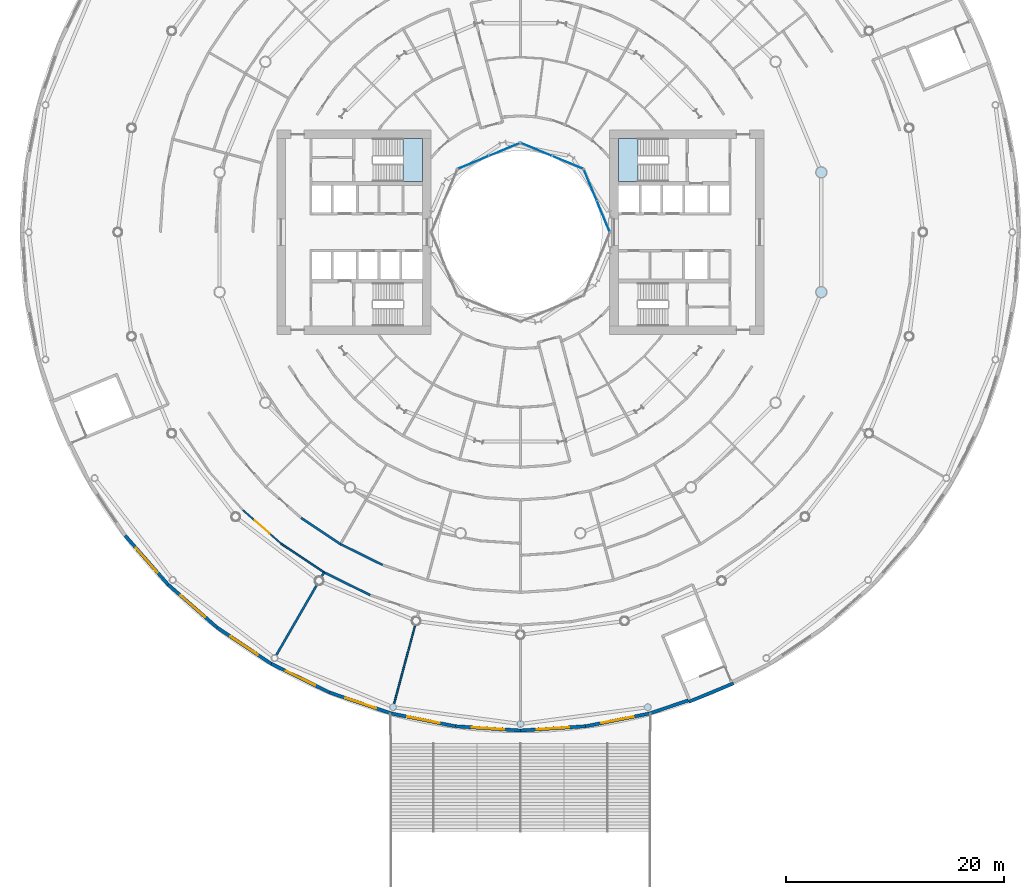
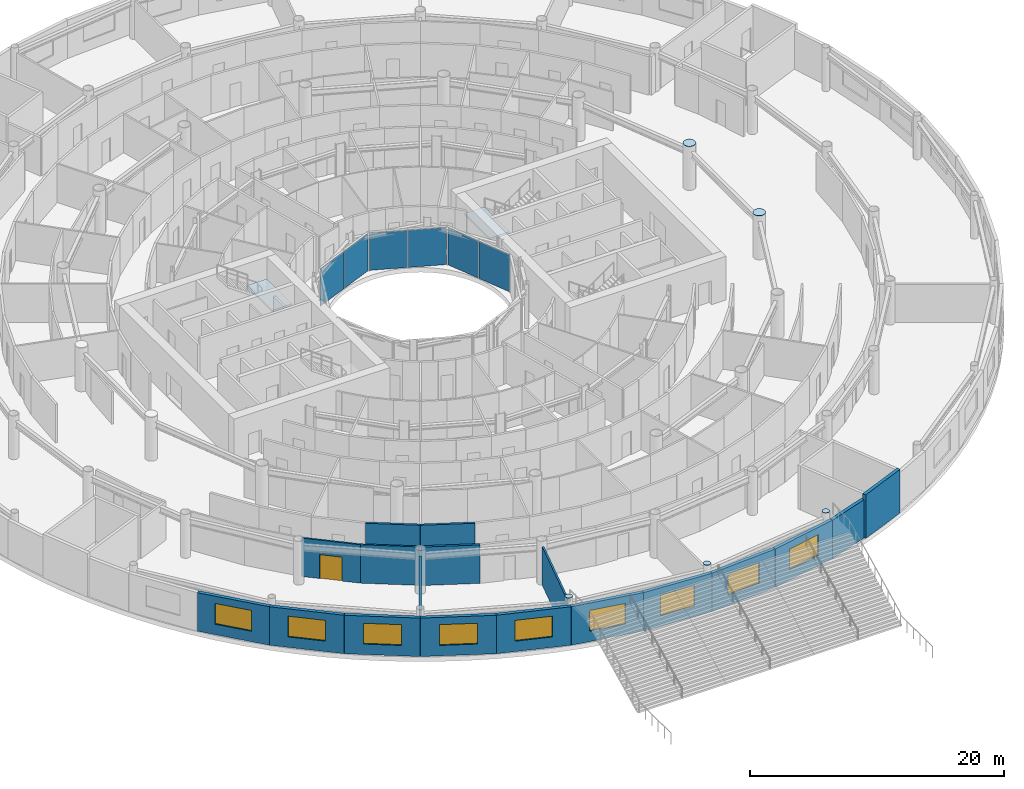
# One storey, part 12 of 29: 19 walls, 11 plates, 9 windows, 2 slabs, 1 door, 10 openings, 5 elements without a shape of their own.
"""IFC4 building model written with IfcOpenShell, lengths in metres."""

from ifc_helpers import new_model, si_unit, direction, frame, frame_2d, origin, origin_2d, place, context, subcontext, project, spatial, polyline, rectangle, outline, extrude, material, layer, layer_set, type_object, element, fill, aggregate, save


model = new_model("IFC4")

# Units and contexts
model_context = context("Model", 3, precision=1e-05, world=origin(), true_north=direction((0.0, 1.0)))
body_context = subcontext(model_context, "Body", "Model", "MODEL_VIEW")
ifc_project = project(units=[si_unit("LENGTHUNIT", "METRE"), si_unit("AREAUNIT", "SQUARE_METRE"), si_unit("VOLUMEUNIT", "CUBIC_METRE"), si_unit("PLANEANGLEUNIT", "RADIAN"), si_unit("MASSUNIT", "GRAM", prefix="KILO")], contexts=[model_context])

# Site, building, storey
site_placement = place(None, origin())
site = spatial("IfcSite", under=ifc_project, at=site_placement, CompositionType="ELEMENT")
building_placement = place(site_placement, origin())
building = spatial("IfcBuilding", under=site, at=building_placement, Name="Maasbend Ring Residences", CompositionType="ELEMENT")
storey_placement = place(building_placement, frame((0.0, 0.0, 5.39990234375)))
storey = spatial("IfcBuildingStorey", under=building, at=storey_placement, Name="L01", CompositionType="ELEMENT", Elevation=5.39990234375)

# Stair, slab
ifc_material_1 = material(Name="Concrete C40/50", Category="concrete")
stair_type = type_object("IfcStairType", Name="CORE STAIR 24 RISERS", PredefinedType="HALF_TURN_STAIR", material=ifc_material_1)
stair_1_placement = place(storey_placement, origin())
stair_1 = element("IfcStair", 1, at=stair_1_placement, inside=storey, type_object=stair_type, Name="L01 Exit stair ST-E1", PredefinedType="HALF_TURN_STAIR")
ifc_material_2 = material(Name="Concrete C40/50", Category="concrete")
ifc_layer_1 = layer(ifc_material_2, 0.199951171875)
ifc_layer_set_1 = layer_set([ifc_layer_1], Name="Concrete C40/50")
slab_type = type_object("IfcSlabType", Name="CORE STAIR LANDING 200", PredefinedType="LANDING", material=ifc_layer_set_1)
slab_1_placement = place(storey_placement, frame((0.0, 0.0, 1.900146484375)))
slab_1 = element("IfcSlab", 2, at=slab_1_placement, type_object=slab_type, Name="ST-E1 landing 1", PredefinedType="LANDING", context=body_context, shape_type="SweptSolid", body=[
    extrude(outline(polyline([(10.800048828125, 8.60009765625), (9.0, 8.60009765625), (9.0, 4.64990234375), (10.800048828125, 4.64990234375), (10.800048828125, 8.60009765625)])), origin(), (0.0, 0.0, 1.0), 0.199951171875),
])
aggregate(stair_1, [slab_1])

stair_2_placement = place(storey_placement, origin())
stair_2 = element("IfcStair", 3, at=stair_2_placement, inside=storey, type_object=stair_type, Name="L01 Exit stair ST-W2", PredefinedType="HALF_TURN_STAIR")
slab_2_placement = place(storey_placement, frame((0.0, 0.0, 1.900146484375)))
slab_2 = element("IfcSlab", 4, at=slab_2_placement, type_object=slab_type, Name="ST-W2 landing 1", PredefinedType="LANDING", context=body_context, shape_type="SweptSolid", body=[
    extrude(outline(polyline([(-10.800048828125, 4.64990234375), (-9.0, 4.64990234375), (-9.0, 8.60009765625), (-10.800048828125, 8.60009765625), (-10.800048828125, 4.64990234375)])), origin(), (0.0, 0.0, 1.0), 0.199951171875),
])
aggregate(stair_2, [slab_2])

# Curtain wall, plates
ifc_material_3 = material(Name="Aluminium and clear glass", Category="aluminium")
ifc_layer_2 = layer(ifc_material_3, 0.199951171875)
ifc_layer_set_2 = layer_set([ifc_layer_2], Name="CW-LR")
curtain_wall_type = type_object("IfcCurtainWallType", Name="CW-LR", PredefinedType="NOTDEFINED", material=ifc_layer_set_2)
curtain_wall_1_placement = place(storey_placement, origin())
curtain_wall_1 = element("IfcCurtainWall", 5, at=curtain_wall_1_placement, inside=storey, type_object=curtain_wall_type, Name="Lobby ring curtain wall 01", PredefinedType="NOTDEFINED")
ifc_material_4 = material(Name="Glass clear laminated", Category="glass")
ifc_layer_3 = layer(ifc_material_4, 0.035888671875)
ifc_layer_set_3 = layer_set([ifc_layer_3], Name="CWP-LR")
plate_type_1 = type_object("IfcPlateType", Name="CWP-LR", PredefinedType="CURTAIN_PANEL", material=ifc_layer_set_3)
plate_1_placement = place(storey_placement, frame((7.607177734375, 1.468505859375, 0.0), z_axis=(0.0, 0.0, 1.0), x_axis=(-0.382683432365, 0.923879532511, 0.0)))
plate_1 = element("IfcPlate", 6, at=plate_1_placement, type_object=plate_type_1, Name="Glass panel podium lobby ring", PredefinedType="CURTAIN_PANEL", context=body_context, shape_type="SweptSolid", body=[
    extrude(rectangle(XDim=3.038818359375, YDim=0.035888671875, at=origin_2d()), origin(), (0.0, 0.0, 1.0), 3.580078125),
])
plate_2_placement = place(storey_placement, frame((6.41748046875, 4.340576171875, 0.0), z_axis=(0.0, 0.0, 1.0), x_axis=(-0.382683432365, 0.923879532511, 0.0)))
plate_2 = element("IfcPlate", 7, at=plate_2_placement, type_object=plate_type_1, Name="Glass panel podium lobby ring", PredefinedType="CURTAIN_PANEL", context=body_context, shape_type="SweptSolid", body=[
    extrude(rectangle(XDim=3.038818359375, YDim=0.035888671875, at=origin_2d()), origin(), (0.0, 0.0, 1.0), 3.580078125),
])
aggregate(curtain_wall_1, [plate_1, plate_2])

curtain_wall_2_placement = place(storey_placement, origin())
curtain_wall_2 = element("IfcCurtainWall", 8, at=curtain_wall_2_placement, inside=storey, type_object=curtain_wall_type, Name="Lobby ring curtain wall 02", PredefinedType="NOTDEFINED")
plate_3_placement = place(storey_placement, frame((4.340576171875, 6.41748046875, 0.0), z_axis=(0.0, 0.0, 1.0), x_axis=(-0.923879532511, 0.382683432365, 0.0)))
plate_3 = element("IfcPlate", 9, at=plate_3_placement, type_object=plate_type_1, Name="Glass panel podium lobby ring", PredefinedType="CURTAIN_PANEL", context=body_context, shape_type="SweptSolid", body=[
    extrude(rectangle(XDim=3.038818359375, YDim=0.035888671875, at=origin_2d()), origin(), (0.0, 0.0, 1.0), 3.580078125),
])
plate_4_placement = place(storey_placement, frame((1.468505859375, 7.607177734375, 0.0), z_axis=(0.0, 0.0, 1.0), x_axis=(-0.923879532511, 0.382683432365, 0.0)))
plate_4 = element("IfcPlate", 10, at=plate_4_placement, type_object=plate_type_1, Name="Glass panel podium lobby ring", PredefinedType="CURTAIN_PANEL", context=body_context, shape_type="SweptSolid", body=[
    extrude(rectangle(XDim=3.038818359375, YDim=0.035888671875, at=origin_2d()), origin(), (0.0, 0.0, 1.0), 3.580078125),
])
aggregate(curtain_wall_2, [plate_3, plate_4])

curtain_wall_3_placement = place(storey_placement, origin())
curtain_wall_3 = element("IfcCurtainWall", 11, at=curtain_wall_3_placement, inside=storey, type_object=curtain_wall_type, Name="Lobby ring curtain wall 03", PredefinedType="NOTDEFINED")
plate_5_placement = place(storey_placement, frame((-1.468505859375, 7.607177734375, 0.0), z_axis=(0.0, 0.0, 1.0), x_axis=(-0.923879532511, -0.382683432365, 0.0)))
plate_5 = element("IfcPlate", 12, at=plate_5_placement, type_object=plate_type_1, Name="Glass panel podium lobby ring", PredefinedType="CURTAIN_PANEL", context=body_context, shape_type="SweptSolid", body=[
    extrude(rectangle(XDim=3.038818359375, YDim=0.035888671875, at=origin_2d()), origin(), (0.0, 0.0, 1.0), 3.580078125),
])
plate_6_placement = place(storey_placement, frame((-4.340576171875, 6.41748046875, 0.0), z_axis=(0.0, 0.0, 1.0), x_axis=(-0.923879532511, -0.382683432365, 0.0)))
plate_6 = element("IfcPlate", 13, at=plate_6_placement, type_object=plate_type_1, Name="Glass panel podium lobby ring", PredefinedType="CURTAIN_PANEL", context=body_context, shape_type="SweptSolid", body=[
    extrude(rectangle(XDim=3.038818359375, YDim=0.035888671875, at=origin_2d()), origin(), (0.0, 0.0, 1.0), 3.580078125),
])
aggregate(curtain_wall_3, [plate_5, plate_6])

# Plates
ifc_material_5 = material(Name="Steel S460NH", Category="steel")
ifc_layer_4 = layer(ifc_material_5, 0.035888671875)
ifc_layer_set_4 = layer_set([ifc_layer_4], Name="Steel S460NH")
plate_type_2 = type_object("IfcPlateType", Name="End plate CHS 1016x50 36", PredefinedType="USERDEFINED", material=ifc_layer_set_4)
plate_7_placement = place(storey_placement, frame((0.0, 0.0, 4.2001953125)))
element("IfcPlate", 14, at=plate_7_placement, inside=storey, type_object=plate_type_2, Name="Column head plate R1", ObjectType="END PLATE", PredefinedType="USERDEFINED", context=body_context, shape_type="SweptSolid", body=[
    extrude(outline(polyline([(28.156005859375, 5.50146484375), (28.13916015625, 5.63037109375), (28.08935546875, 5.75048828125), (28.01025390625, 5.853515625), (27.906982421875, 5.932861328125), (27.787109375, 5.982421875), (27.658203125, 5.99951171875), (27.529296875, 5.982421875), (27.4091796875, 5.932861328125), (27.305908203125, 5.853515625), (27.226806640625, 5.75048828125), (27.177001953125, 5.63037109375), (27.16015625, 5.50146484375), (27.177001953125, 5.37255859375), (27.226806640625, 5.25244140625), (27.305908203125, 5.1494140625), (27.4091796875, 5.0703125), (27.529296875, 5.0205078125), (27.658203125, 5.00341796875), (27.787109375, 5.0205078125), (27.906982421875, 5.0703125), (28.01025390625, 5.1494140625), (28.08935546875, 5.25244140625), (28.13916015625, 5.37255859375), (28.156005859375, 5.50146484375)])), origin(), (0.0, 0.0, 1.0), 0.035888671875),
])
plate_8_placement = place(storey_placement, frame((0.0, 0.0, 4.2001953125)))
element("IfcPlate", 15, at=plate_8_placement, inside=storey, type_object=plate_type_2, Name="Column head plate R16", ObjectType="END PLATE", PredefinedType="USERDEFINED", context=body_context, shape_type="SweptSolid", body=[
    extrude(outline(polyline([(28.156005859375, -5.50146484375), (28.13916015625, -5.37255859375), (28.08935546875, -5.25244140625), (28.01025390625, -5.1494140625), (27.906982421875, -5.0703125), (27.787109375, -5.0205078125), (27.658203125, -5.00341796875), (27.529296875, -5.0205078125), (27.4091796875, -5.0703125), (27.305908203125, -5.1494140625), (27.226806640625, -5.25244140625), (27.177001953125, -5.37255859375), (27.16015625, -5.50146484375), (27.177001953125, -5.63037109375), (27.226806640625, -5.75048828125), (27.305908203125, -5.853515625), (27.4091796875, -5.932861328125), (27.529296875, -5.982421875), (27.658203125, -5.99951171875), (27.787109375, -5.982421875), (27.906982421875, -5.932861328125), (28.01025390625, -5.853515625), (28.08935546875, -5.75048828125), (28.13916015625, -5.63037109375), (28.156005859375, -5.50146484375)])), origin(), (0.0, 0.0, 1.0), 0.035888671875),
])
ifc_material_6 = material(Name="Steel S460NH", Category="steel")
ifc_layer_5 = layer(ifc_material_6, 0.035888671875)
ifc_layer_set_5 = layer_set([ifc_layer_5], Name="Steel S460NH")
plate_type_3 = type_object("IfcPlateType", Name="End plate CHS 610x25 36", PredefinedType="USERDEFINED", material=ifc_layer_set_5)
plate_9_placement = place(storey_placement, frame((0.0, 0.0, 4.2001953125)))
element("IfcPlate", 16, at=plate_9_placement, inside=storey, type_object=plate_type_3, Name="Column head plate B18", ObjectType="END PLATE", PredefinedType="USERDEFINED", context=body_context, shape_type="SweptSolid", body=[
    extrude(outline(polyline([(-11.403564453125, -43.659912109375), (-11.413818359375, -43.58349609375), (-11.443115234375, -43.51220703125), (-11.489990234375, -43.451171875), (-11.551025390625, -43.404296875), (-11.622314453125, -43.375), (-11.698486328125, -43.36474609375), (-11.77490234375, -43.375), (-11.84619140625, -43.404296875), (-11.9072265625, -43.451171875), (-11.9541015625, -43.51220703125), (-11.9833984375, -43.58349609375), (-11.99365234375, -43.659912109375), (-11.9833984375, -43.736083984375), (-11.9541015625, -43.807373046875), (-11.9072265625, -43.868408203125), (-11.84619140625, -43.915283203125), (-11.77490234375, -43.944580078125), (-11.698486328125, -43.954833984375), (-11.622314453125, -43.944580078125), (-11.551025390625, -43.915283203125), (-11.489990234375, -43.868408203125), (-11.443115234375, -43.807373046875), (-11.413818359375, -43.736083984375), (-11.403564453125, -43.659912109375)])), origin(), (0.0, 0.0, 1.0), 0.035888671875),
])
plate_10_placement = place(storey_placement, frame((0.0, 0.0, 4.2001953125)))
element("IfcPlate", 17, at=plate_10_placement, inside=storey, type_object=plate_type_3, Name="Column head plate B19", ObjectType="END PLATE", PredefinedType="USERDEFINED", context=body_context, shape_type="SweptSolid", body=[
    extrude(outline(polyline([(0.294921875, -45.199951171875), (0.284912109375, -45.12353515625), (0.255615234375, -45.052490234375), (0.20849609375, -44.991455078125), (0.1474609375, -44.944580078125), (0.076416015625, -44.9150390625), (0.0, -44.905029296875), (-0.076416015625, -44.9150390625), (-0.1474609375, -44.944580078125), (-0.20849609375, -44.991455078125), (-0.255615234375, -45.052490234375), (-0.284912109375, -45.12353515625), (-0.294921875, -45.199951171875), (-0.284912109375, -45.2763671875), (-0.255615234375, -45.347412109375), (-0.20849609375, -45.40869140625), (-0.1474609375, -45.45556640625), (-0.076416015625, -45.48486328125), (0.0, -45.4951171875), (0.076416015625, -45.48486328125), (0.1474609375, -45.45556640625), (0.20849609375, -45.40869140625), (0.255615234375, -45.347412109375), (0.284912109375, -45.2763671875), (0.294921875, -45.199951171875)])), origin(), (0.0, 0.0, 1.0), 0.035888671875),
])
plate_11_placement = place(storey_placement, frame((0.0, 0.0, 4.2001953125)))
element("IfcPlate", 18, at=plate_11_placement, inside=storey, type_object=plate_type_3, Name="Column head plate B20", ObjectType="END PLATE", PredefinedType="USERDEFINED", context=body_context, shape_type="SweptSolid", body=[
    extrude(outline(polyline([(11.99365234375, -43.659912109375), (11.9833984375, -43.58349609375), (11.9541015625, -43.51220703125), (11.9072265625, -43.451171875), (11.84619140625, -43.404296875), (11.77490234375, -43.375), (11.698486328125, -43.36474609375), (11.622314453125, -43.375), (11.551025390625, -43.404296875), (11.489990234375, -43.451171875), (11.443115234375, -43.51220703125), (11.413818359375, -43.58349609375), (11.403564453125, -43.659912109375), (11.413818359375, -43.736083984375), (11.443115234375, -43.807373046875), (11.489990234375, -43.868408203125), (11.551025390625, -43.915283203125), (11.622314453125, -43.944580078125), (11.698486328125, -43.954833984375), (11.77490234375, -43.944580078125), (11.84619140625, -43.915283203125), (11.9072265625, -43.868408203125), (11.9541015625, -43.807373046875), (11.9833984375, -43.736083984375), (11.99365234375, -43.659912109375)])), origin(), (0.0, 0.0, 1.0), 0.035888671875),
])

# Walls
ifc_material_7 = material(Name="Concrete C70/85", Category="concrete")
ifc_layer_6 = layer(ifc_material_7, 0.300048828125)
ifc_layer_set_6 = layer_set([ifc_layer_6], Name="Concrete C70/85")
wall_type_1 = type_object("IfcWallType", Name="CORE WALL 300 C70/85", PredefinedType="SHEAR", material=ifc_layer_set_6)
wall_1_placement = place(storey_placement, frame((15.47119140625, -43.1650390625, 0.0), z_axis=(0.0, 0.0, 1.0), x_axis=(0.923886445216, 0.382666743194, 0.0)))
element("IfcWall", 19, at=wall_1_placement, inside=storey, type_object=wall_type_1, Name="L01 ST-P2 enclosure wall WOUT", PredefinedType="SHEAR", context=body_context, shape_type="SweptSolid", body=[
    extrude(rectangle(XDim=4.449951171875, YDim=0.300048828125, at=frame_2d((2.22509765625, 0.0))), origin(), (0.0, 0.0, 1.0), 4.2001953125),
])
ifc_material_8 = material(Name="Concrete C30/37", Category="concrete")
ifc_layer_7 = layer(ifc_material_8, 0.199951171875)
ifc_layer_set_7 = layer_set([ifc_layer_7], Name="Concrete C30/37")
wall_type_2 = type_object("IfcWallType", Name="CORRIDOR WALL 200 CONCRETE", PredefinedType="PARTITIONING", material=ifc_layer_set_7)
wall_2_placement = place(storey_placement, frame((-18.050048828125, -31.263916015625, 0.0), z_axis=(0.0, 0.0, 1.0), x_axis=(0.896905425474, -0.442222407568, 0.0)))
element("IfcWall", 20, at=wall_2_placement, inside=storey, type_object=wall_type_2, Name="U-L01-w007", PredefinedType="PARTITIONING", context=body_context, shape_type="SweptSolid", body=[
    extrude(rectangle(XDim=4.721923828125, YDim=0.199951171875, at=frame_2d((2.36083984375, 0.0))), origin(), (0.0, 0.0, 1.0), 3.7001953125),
])
wall_3_placement = place(storey_placement, frame((-20.14990234375, -26.260009765625, 0.0), z_axis=(0.0, 0.0, 1.0), x_axis=(0.831503319646, -0.555519783102, 0.0)))
element("IfcWall", 21, at=wall_3_placement, inside=storey, type_object=wall_type_2, Name="U-L01-w026", PredefinedType="PARTITIONING", context=body_context, shape_type="SweptSolid", body=[
    extrude(rectangle(XDim=4.329345703125, YDim=0.199951171875, at=frame_2d((2.16455078125, 0.0))), origin(), (0.0, 0.0, 1.0), 3.7001953125),
])
wall_4_placement = place(storey_placement, frame((-16.550048828125, -28.6650390625, 0.0), z_axis=(0.0, 0.0, 1.0), x_axis=(0.89686106512, -0.442312366853, 0.0)))
element("IfcWall", 22, at=wall_4_placement, inside=storey, type_object=wall_type_2, Name="U-L01-w027", PredefinedType="PARTITIONING", context=body_context, shape_type="SweptSolid", body=[
    extrude(rectangle(XDim=4.32958984375, YDim=0.199951171875, at=frame_2d((2.164794921875, 0.0))), origin(), (0.0, 0.0, 1.0), 3.7001953125),
])
wall_5_placement = place(storey_placement, frame((-22.449951171875, -38.885009765625, 0.0), z_axis=(0.0, 0.0, 1.0), x_axis=(0.499947857008, 0.866055506462, 0.0)))
element("IfcWall", 23, at=wall_5_placement, inside=storey, type_object=wall_type_2, Name="U-L01-w138", PredefinedType="PARTITIONING", context=body_context, shape_type="SweptSolid", body=[
    extrude(rectangle(XDim=7.500732421875, YDim=0.199951171875, at=frame_2d((3.75048828125, 0.0))), origin(), (0.0, 0.0, 1.0), 3.7001953125),
])
wall_6_placement = place(storey_placement, frame((-18.300048828125, -31.697021484375, 0.0), z_axis=(0.0, 0.0, 1.0), x_axis=(0.499919672301, 0.866071776036, 0.0)))
element("IfcWall", 24, at=wall_6_placement, inside=storey, type_object=wall_type_2, Name="U-L01-w139", PredefinedType="PARTITIONING", context=body_context, shape_type="SweptSolid", body=[
    extrude(rectangle(XDim=0.5, YDim=0.199951171875, at=frame_2d((0.25, 0.0))), origin(), (0.0, 0.0, 1.0), 3.7001953125),
])

# Wall, opening, window
ifc_material_9 = material(Name="Pale anodised aluminium panel", Category="aluminium")
ifc_layer_8 = layer(ifc_material_9, 0.300048828125)
ifc_layer_set_8 = layer_set([ifc_layer_8], Name="EW-BASE")
wall_type_3 = type_object("IfcWallType", Name="EW-BASE", PredefinedType="SOLIDWALL", material=ifc_layer_set_8)
wall_7_placement = place(storey_placement, frame((-36.3359375, -27.881103515625, 0.0), z_axis=(0.0, 0.0, 1.0), x_axis=(0.659450342916, -0.751748126189, 0.0)))
wall_7 = element("IfcWall", 25, at=wall_7_placement, inside=storey, type_object=wall_type_3, Name="Base block wall 30", PredefinedType="SOLIDWALL", context=body_context, shape_type="SweptSolid", body=[
    extrude(rectangle(XDim=5.9912109375, YDim=0.300048828125, at=frame_2d((2.99560546875, 0.0))), origin(), (0.0, 0.0, 1.0), 3.7001953125),
])
opening_1_placement = place(wall_7_placement, frame((1.495361328125, 0.0, 1.0)))
opening_1 = element("IfcOpeningElement", 26, at=opening_1_placement, cuts=wall_7, Name="Opening W-PB", PredefinedType="OPENING", context=body_context, shape_type="SweptSolid", body=[
    extrude(rectangle(XDim=3.0, YDim=2.0, at=frame_2d((1.5, 1.0))), frame((0.0, 0.16015625, 0.0), z_axis=(0.0, -1.0, 0.0), x_axis=(1.0, 0.0, 0.0)), (0.0, 0.0, 1.0), 0.320068359375),
])
ifc_material_10 = material(Name="Aluminium and clear glass", Category="aluminium")
window_type = type_object("IfcWindowType", Name="W-PB", PartitioningType="SINGLE_PANEL", PredefinedType="WINDOW", material=ifc_material_10)
window_1_placement = place(opening_1_placement, origin())
window_1 = element("IfcWindow", 27, at=window_1_placement, inside=storey, type_object=window_type, Name="Base block window 30", OverallHeight=2.0, OverallWidth=3.0, PartitioningType="SINGLE_PANEL", PredefinedType="WINDOW", context=body_context, shape_type="SweptSolid", body=[
    extrude(rectangle(XDim=3.0, YDim=2.0, at=frame_2d((1.5, 1.0))), frame((0.0, 0.030029296875, 0.0), z_axis=(0.0, -1.0, 0.0), x_axis=(1.0, 0.0, 0.0)), (0.0, 0.0, 1.0), 0.06005859375),
])
fill(opening_1, window_1)

wall_8_placement = place(storey_placement, frame((-32.385009765625, -32.385009765625, 0.0), z_axis=(0.0, 0.0, 1.0), x_axis=(0.751748126189, -0.659450342916, 0.0)))
wall_8 = element("IfcWall", 28, at=wall_8_placement, inside=storey, type_object=wall_type_3, Name="Base block wall 31", PredefinedType="SOLIDWALL", context=body_context, shape_type="SweptSolid", body=[
    extrude(rectangle(XDim=5.9912109375, YDim=0.300048828125, at=frame_2d((2.99560546875, 0.0))), origin(), (0.0, 0.0, 1.0), 3.7001953125),
])
opening_2_placement = place(wall_8_placement, frame((1.495361328125, 0.0, 1.0)))
opening_2 = element("IfcOpeningElement", 29, at=opening_2_placement, cuts=wall_8, Name="Opening W-PB", PredefinedType="OPENING", context=body_context, shape_type="SweptSolid", body=[
    extrude(rectangle(XDim=3.0, YDim=2.0, at=frame_2d((1.5, 1.0))), frame((0.0, 0.16015625, 0.0), z_axis=(0.0, -1.0, 0.0), x_axis=(1.0, 0.0, 0.0)), (0.0, 0.0, 1.0), 0.320068359375),
])
window_2_placement = place(opening_2_placement, origin())
window_2 = element("IfcWindow", 30, at=window_2_placement, inside=storey, type_object=window_type, Name="Base block window 31", OverallHeight=2.0, OverallWidth=3.0, PartitioningType="SINGLE_PANEL", PredefinedType="WINDOW", context=body_context, shape_type="SweptSolid", body=[
    extrude(rectangle(XDim=3.0, YDim=2.0, at=frame_2d((1.5, 1.0))), frame((0.0, 0.030029296875, 0.0), z_axis=(0.0, -1.0, 0.0), x_axis=(1.0, 0.0, 0.0)), (0.0, 0.0, 1.0), 0.06005859375),
])
fill(opening_2, window_2)

wall_9_placement = place(storey_placement, frame((-27.881103515625, -36.3359375, 0.0), z_axis=(0.0, 0.0, 1.0), x_axis=(0.831485590074, -0.55554631985, 0.0)))
wall_9 = element("IfcWall", 31, at=wall_9_placement, inside=storey, type_object=wall_type_3, Name="Base block wall 32", PredefinedType="SOLIDWALL", context=body_context, shape_type="SweptSolid", body=[
    extrude(rectangle(XDim=5.99072265625, YDim=0.300048828125, at=frame_2d((2.995361328125, 0.0))), origin(), (0.0, 0.0, 1.0), 3.7001953125),
])
opening_3_placement = place(wall_9_placement, frame((1.495361328125, 0.0, 1.0)))
opening_3 = element("IfcOpeningElement", 32, at=opening_3_placement, cuts=wall_9, Name="Opening W-PB", PredefinedType="OPENING", context=body_context, shape_type="SweptSolid", body=[
    extrude(rectangle(XDim=3.0, YDim=2.0, at=frame_2d((1.5, 1.0))), frame((0.0, 0.16015625, 0.0), z_axis=(0.0, -1.0, 0.0), x_axis=(1.0, 0.0, 0.0)), (0.0, 0.0, 1.0), 0.320068359375),
])
window_3_placement = place(opening_3_placement, origin())
window_3 = element("IfcWindow", 33, at=window_3_placement, inside=storey, type_object=window_type, Name="Base block window 32", OverallHeight=2.0, OverallWidth=3.0, PartitioningType="SINGLE_PANEL", PredefinedType="WINDOW", context=body_context, shape_type="SweptSolid", body=[
    extrude(rectangle(XDim=3.0, YDim=2.0, at=frame_2d((1.5, 1.0))), frame((0.0, 0.030029296875, 0.0), z_axis=(0.0, -1.0, 0.0), x_axis=(1.0, 0.0, 0.0)), (0.0, 0.0, 1.0), 0.06005859375),
])
fill(opening_3, window_3)

wall_10_placement = place(storey_placement, frame((-22.89990234375, -39.6640625, 0.0), z_axis=(0.0, 0.0, 1.0), x_axis=(0.896850939151, -0.44233289833, 0.0)))
wall_10 = element("IfcWall", 34, at=wall_10_placement, inside=storey, type_object=wall_type_3, Name="Base block wall 33", PredefinedType="SOLIDWALL", context=body_context, shape_type="SweptSolid", body=[
    extrude(rectangle(XDim=5.99072265625, YDim=0.300048828125, at=frame_2d((2.995361328125, 0.0))), origin(), (0.0, 0.0, 1.0), 3.7001953125),
])
opening_4_placement = place(wall_10_placement, frame((1.495361328125, 0.0, 1.0)))
opening_4 = element("IfcOpeningElement", 35, at=opening_4_placement, cuts=wall_10, Name="Opening W-PB", PredefinedType="OPENING", context=body_context, shape_type="SweptSolid", body=[
    extrude(rectangle(XDim=3.0, YDim=2.0, at=frame_2d((1.5, 1.0))), frame((0.0, 0.16015625, 0.0), z_axis=(0.0, -1.0, 0.0), x_axis=(1.0, 0.0, 0.0)), (0.0, 0.0, 1.0), 0.320068359375),
])
window_4_placement = place(opening_4_placement, origin())
window_4 = element("IfcWindow", 36, at=window_4_placement, inside=storey, type_object=window_type, Name="Base block window 33", OverallHeight=2.0, OverallWidth=3.0, PartitioningType="SINGLE_PANEL", PredefinedType="WINDOW", context=body_context, shape_type="SweptSolid", body=[
    extrude(rectangle(XDim=3.0, YDim=2.0, at=frame_2d((1.5, 1.0))), frame((0.0, 0.030029296875, 0.0), z_axis=(0.0, -1.0, 0.0), x_axis=(1.0, 0.0, 0.0)), (0.0, 0.0, 1.0), 0.06005859375),
])
fill(opening_4, window_4)

wall_11_placement = place(storey_placement, frame((-17.527099609375, -42.31396484375, 0.0), z_axis=(0.0, 0.0, 1.0), x_axis=(0.946966078776, -0.321333542675, 0.0)))
wall_11 = element("IfcWall", 37, at=wall_11_placement, inside=storey, type_object=wall_type_3, Name="Base block wall 34", PredefinedType="SOLIDWALL", context=body_context, shape_type="SweptSolid", body=[
    extrude(rectangle(XDim=5.99072265625, YDim=0.300048828125, at=frame_2d((2.995361328125, 0.0))), origin(), (0.0, 0.0, 1.0), 3.7001953125),
])
opening_5_placement = place(wall_11_placement, frame((1.495361328125, 0.0, 1.0)))
opening_5 = element("IfcOpeningElement", 38, at=opening_5_placement, cuts=wall_11, Name="Opening W-PB", PredefinedType="OPENING", context=body_context, shape_type="SweptSolid", body=[
    extrude(rectangle(XDim=3.0, YDim=2.0, at=frame_2d((1.5, 1.0))), frame((0.0, 0.16015625, 0.0), z_axis=(0.0, -1.0, 0.0), x_axis=(1.0, 0.0, 0.0)), (0.0, 0.0, 1.0), 0.320068359375),
])
window_5_placement = place(opening_5_placement, origin())
window_5 = element("IfcWindow", 39, at=window_5_placement, inside=storey, type_object=window_type, Name="Base block window 34", OverallHeight=2.0, OverallWidth=3.0, PartitioningType="SINGLE_PANEL", PredefinedType="WINDOW", context=body_context, shape_type="SweptSolid", body=[
    extrude(rectangle(XDim=3.0, YDim=2.0, at=frame_2d((1.5, 1.0))), frame((0.0, 0.030029296875, 0.0), z_axis=(0.0, -1.0, 0.0), x_axis=(1.0, 0.0, 0.0)), (0.0, 0.0, 1.0), 0.06005859375),
])
fill(opening_5, window_5)

wall_12_placement = place(storey_placement, frame((-11.85400390625, -44.239013671875, 0.0), z_axis=(0.0, 0.0, 1.0), x_axis=(0.980780780021, -0.195112945602, 0.0)))
wall_12 = element("IfcWall", 40, at=wall_12_placement, inside=storey, type_object=wall_type_3, Name="Base block wall 35", PredefinedType="SOLIDWALL", context=body_context, shape_type="SweptSolid", body=[
    extrude(rectangle(XDim=5.9912109375, YDim=0.300048828125, at=frame_2d((2.99560546875, 0.0))), origin(), (0.0, 0.0, 1.0), 3.7001953125),
])
opening_6_placement = place(wall_12_placement, frame((1.495361328125, 0.0, 1.0)))
opening_6 = element("IfcOpeningElement", 41, at=opening_6_placement, cuts=wall_12, Name="Opening W-PB", PredefinedType="OPENING", context=body_context, shape_type="SweptSolid", body=[
    extrude(rectangle(XDim=3.0, YDim=2.0, at=frame_2d((1.5, 1.0))), frame((0.0, 0.16015625, 0.0), z_axis=(0.0, -1.0, 0.0), x_axis=(1.0, 0.0, 0.0)), (0.0, 0.0, 1.0), 0.320068359375),
])
window_6_placement = place(opening_6_placement, origin())
window_6 = element("IfcWindow", 42, at=window_6_placement, inside=storey, type_object=window_type, Name="Base block window 35", OverallHeight=2.0, OverallWidth=3.0, PartitioningType="SINGLE_PANEL", PredefinedType="WINDOW", context=body_context, shape_type="SweptSolid", body=[
    extrude(rectangle(XDim=3.0, YDim=2.0, at=frame_2d((1.5, 1.0))), frame((0.0, 0.030029296875, 0.0), z_axis=(0.0, -1.0, 0.0), x_axis=(1.0, 0.0, 0.0)), (0.0, 0.0, 1.0), 0.06005859375),
])
fill(opening_6, window_6)

wall_13_placement = place(storey_placement, frame((-5.97802734375, -45.407958984375, 0.0), z_axis=(0.0, 0.0, 1.0), x_axis=(0.9978559893, -0.065447877106, 0.0)))
wall_13 = element("IfcWall", 43, at=wall_13_placement, inside=storey, type_object=wall_type_3, Name="Base block wall 36", PredefinedType="SOLIDWALL", context=body_context, shape_type="SweptSolid", body=[
    extrude(rectangle(XDim=5.990966796875, YDim=0.300048828125, at=frame_2d((2.99560546875, 0.0))), origin(), (0.0, 0.0, 1.0), 3.7001953125),
])
opening_7_placement = place(wall_13_placement, frame((1.495361328125, 0.0, 1.0)))
opening_7 = element("IfcOpeningElement", 44, at=opening_7_placement, cuts=wall_13, Name="Opening W-PB", PredefinedType="OPENING", context=body_context, shape_type="SweptSolid", body=[
    extrude(rectangle(XDim=3.0, YDim=2.0, at=frame_2d((1.5, 1.0))), frame((0.0, 0.16015625, 0.0), z_axis=(0.0, -1.0, 0.0), x_axis=(1.0, 0.0, 0.0)), (0.0, 0.0, 1.0), 0.320068359375),
])
window_7_placement = place(opening_7_placement, origin())
window_7 = element("IfcWindow", 45, at=window_7_placement, inside=storey, type_object=window_type, Name="Base block window 36", OverallHeight=2.0, OverallWidth=3.0, PartitioningType="SINGLE_PANEL", PredefinedType="WINDOW", context=body_context, shape_type="SweptSolid", body=[
    extrude(rectangle(XDim=3.0, YDim=2.0, at=frame_2d((1.5, 1.0))), frame((0.0, 0.030029296875, 0.0), z_axis=(0.0, -1.0, 0.0), x_axis=(1.0, 0.0, 0.0)), (0.0, 0.0, 1.0), 0.06005859375),
])
fill(opening_7, window_7)

wall_14_placement = place(storey_placement, frame((0.0, -45.800048828125, 0.0), z_axis=(0.0, 0.0, 1.0), x_axis=(0.9978559893, 0.065447877106, 0.0)))
wall_14 = element("IfcWall", 46, at=wall_14_placement, inside=storey, type_object=wall_type_3, Name="Base block wall 37", PredefinedType="SOLIDWALL", context=body_context, shape_type="SweptSolid", body=[
    extrude(rectangle(XDim=5.990966796875, YDim=0.300048828125, at=frame_2d((2.99560546875, 0.0))), origin(), (0.0, 0.0, 1.0), 3.7001953125),
])
opening_8_placement = place(wall_14_placement, frame((1.495361328125, 0.0, 1.0)))
opening_8 = element("IfcOpeningElement", 47, at=opening_8_placement, cuts=wall_14, Name="Opening W-PB", PredefinedType="OPENING", context=body_context, shape_type="SweptSolid", body=[
    extrude(rectangle(XDim=3.0, YDim=2.0, at=frame_2d((1.5, 1.0))), frame((0.0, 0.16015625, 0.0), z_axis=(0.0, -1.0, 0.0), x_axis=(1.0, 0.0, 0.0)), (0.0, 0.0, 1.0), 0.320068359375),
])
window_8_placement = place(opening_8_placement, origin())
window_8 = element("IfcWindow", 48, at=window_8_placement, inside=storey, type_object=window_type, Name="Base block window 37", OverallHeight=2.0, OverallWidth=3.0, PartitioningType="SINGLE_PANEL", PredefinedType="WINDOW", context=body_context, shape_type="SweptSolid", body=[
    extrude(rectangle(XDim=3.0, YDim=2.0, at=frame_2d((1.5, 1.0))), frame((0.0, 0.030029296875, 0.0), z_axis=(0.0, -1.0, 0.0), x_axis=(1.0, 0.0, 0.0)), (0.0, 0.0, 1.0), 0.06005859375),
])
fill(opening_8, window_8)

wall_15_placement = place(storey_placement, frame((5.97802734375, -45.407958984375, 0.0), z_axis=(0.0, 0.0, 1.0), x_axis=(0.980780780021, 0.195112945602, 0.0)))
wall_15 = element("IfcWall", 49, at=wall_15_placement, inside=storey, type_object=wall_type_3, Name="Base block wall 38", PredefinedType="SOLIDWALL", context=body_context, shape_type="SweptSolid", body=[
    extrude(rectangle(XDim=5.9912109375, YDim=0.300048828125, at=frame_2d((2.99560546875, 0.0))), origin(), (0.0, 0.0, 1.0), 3.7001953125),
])
opening_9_placement = place(wall_15_placement, frame((1.495361328125, 0.0, 1.0)))
opening_9 = element("IfcOpeningElement", 50, at=opening_9_placement, cuts=wall_15, Name="Opening W-PB", PredefinedType="OPENING", context=body_context, shape_type="SweptSolid", body=[
    extrude(rectangle(XDim=3.0, YDim=2.0, at=frame_2d((1.5, 1.0))), frame((0.0, 0.16015625, 0.0), z_axis=(0.0, -1.0, 0.0), x_axis=(1.0, 0.0, 0.0)), (0.0, 0.0, 1.0), 0.320068359375),
])
window_9_placement = place(opening_9_placement, origin())
window_9 = element("IfcWindow", 51, at=window_9_placement, inside=storey, type_object=window_type, Name="Base block window 38", OverallHeight=2.0, OverallWidth=3.0, PartitioningType="SINGLE_PANEL", PredefinedType="WINDOW", context=body_context, shape_type="SweptSolid", body=[
    extrude(rectangle(XDim=3.0, YDim=2.0, at=frame_2d((1.5, 1.0))), frame((0.0, 0.030029296875, 0.0), z_axis=(0.0, -1.0, 0.0), x_axis=(1.0, 0.0, 0.0)), (0.0, 0.0, 1.0), 0.06005859375),
])
fill(opening_9, window_9)

# Wall
wall_16_placement = place(storey_placement, frame((11.85400390625, -44.239013671875, 0.0), z_axis=(0.0, 0.0, 1.0), x_axis=(0.946915897629, 0.321481387979, 0.0)))
element("IfcWall", 52, at=wall_16_placement, inside=storey, type_object=wall_type_3, Name="Base block wall 39a", PredefinedType="SOLIDWALL", context=body_context, shape_type="SweptSolid", body=[
    extrude(rectangle(XDim=3.7607421875, YDim=0.300048828125, at=frame_2d((1.88037109375, 0.0))), origin(), (0.0, 0.0, 1.0), 3.7001953125),
])

# Wall, opening, door
ifc_material_11 = material(Name="Gypsum board on steel studs", Category="steel")
ifc_layer_9 = layer(ifc_material_11, 0.14990234375)
ifc_layer_set_9 = layer_set([ifc_layer_9], Name="PARTITION 150 GYPSUM")
wall_type_4 = type_object("IfcWallType", Name="PARTITION 150 GYPSUM", PredefinedType="PARTITIONING", material=ifc_layer_set_9)
wall_17_placement = place(storey_placement, frame((-25.527099609375, -25.527099609375, 0.0), z_axis=(0.0, 0.0, 1.0), x_axis=(0.751983893099, -0.659181480716, 0.0)))
wall_17 = element("IfcWall", 53, at=wall_17_placement, inside=storey, type_object=wall_type_4, Name="U-L01-w005", PredefinedType="PARTITIONING", context=body_context, shape_type="SweptSolid", body=[
    extrude(rectangle(XDim=4.72216796875, YDim=0.14990234375, at=frame_2d((2.361083984375, 0.0))), origin(), (0.0, 0.0, 1.0), 3.7001953125),
])
opening_10_placement = place(wall_17_placement, frame((1.4609375, 0.0, 0.0)))
opening_10 = element("IfcOpeningElement", 54, at=opening_10_placement, cuts=wall_17, Name="Opening D-0180", PredefinedType="OPENING", context=body_context, shape_type="SweptSolid", body=[
    extrude(rectangle(XDim=1.800048828125, YDim=2.300048828125, at=frame_2d((0.89990234375, 1.14990234375))), frame((0.0, 0.0849609375, 0.0), z_axis=(0.0, -1.0, 0.0), x_axis=(1.0, 0.0, 0.0)), (0.0, 0.0, 1.0), 0.169921875),
])
ifc_material_12 = material(Name="Timber, painted", Category="wood")
door_type = type_object("IfcDoorType", Name="DOUBLE DOOR 1800 X 2300", OperationType="NOTDEFINED", PredefinedType="DOOR", material=ifc_material_12)
door_placement = place(opening_10_placement, origin())
door = element("IfcDoor", 55, at=door_placement, inside=storey, type_object=door_type, Name="D-0180", OperationType="DOUBLE_DOOR_SINGLE_SWING", OverallHeight=2.300048828125, OverallWidth=1.800048828125, PredefinedType="DOOR", context=body_context, shape_type="SweptSolid", body=[
    extrude(rectangle(XDim=1.800048828125, YDim=2.300048828125, at=frame_2d((0.89990234375, 1.14990234375))), frame((0.0, 0.02490234375, 0.0), z_axis=(0.0, -1.0, 0.0), x_axis=(1.0, 0.0, 0.0)), (0.0, 0.0, 1.0), 0.050048828125),
])
fill(opening_10, door)

# Walls
wall_18_placement = place(storey_placement, frame((-21.97607421875, -28.639892578125, 0.0), z_axis=(0.0, 0.0, 1.0), x_axis=(0.831397496099, -0.555678147384, 0.0)))
element("IfcWall", 56, at=wall_18_placement, inside=storey, type_object=wall_type_4, Name="U-L01-w006", PredefinedType="PARTITIONING", context=body_context, shape_type="SweptSolid", body=[
    extrude(rectangle(XDim=4.72216796875, YDim=0.14990234375, at=frame_2d((2.361083984375, 0.0))), origin(), (0.0, 0.0, 1.0), 3.7001953125),
])
wall_19_placement = place(storey_placement, frame((-11.6220703125, -43.3701171875, 0.0), z_axis=(0.0, 0.0, 1.0), x_axis=(0.258920465102, 0.965898645175, 0.0)))
element("IfcWall", 57, at=wall_19_placement, inside=storey, type_object=wall_type_4, Name="U-L01-w144", PredefinedType="PARTITIONING", context=body_context, shape_type="SweptSolid", body=[
    extrude(rectangle(XDim=7.5009765625, YDim=0.14990234375, at=frame_2d((3.75048828125, 0.0))), origin(), (0.0, 0.0, 1.0), 3.7001953125),
])

save(model, "model.ifc")
